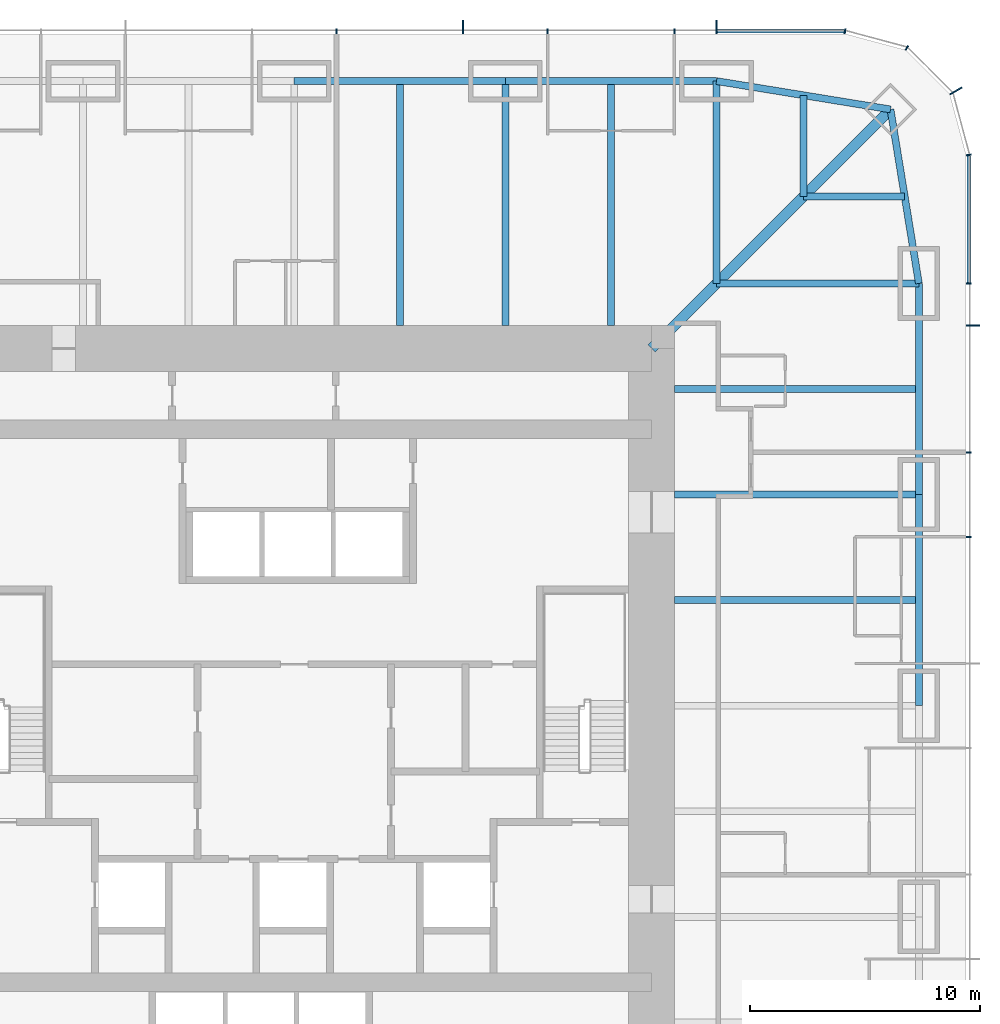
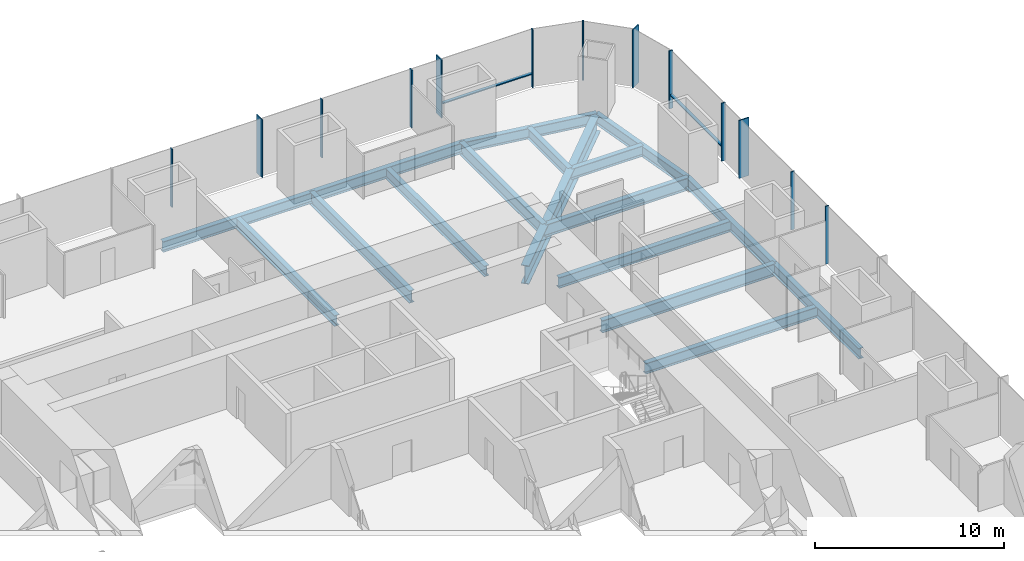
# One storey, part 6 of 13: 17 beams, 15 members, 3 elements without a shape of their own.
"""IFC4 building model written with IfcOpenShell, lengths in metres."""

import ifcopenshell
import ifcopenshell.guid

model = None  # the IFC model being written
_history = None  # IfcOwnerHistory: only IFC2X3 demands one
_inside = {}  # id of a spatial element -> (the spatial element, [elements in it])
_under = {}  # id of a project, library or spatial element -> (it, [spatial elements below it])
_declared = {}  # id of a project -> (the project, [libraries it declares])
_typed = {}  # id of a type object -> (the type object, [elements of that type])
_made_of = {}  # id of a material, layer set ... -> (it, [elements and type objects made of it])


def new_model(schema):
    """Start an empty IFC model of exactly this schema.

    Asked for "IFC4X3", IfcOpenShell would pick the latest addendum, in which some entities
    have other attributes; the version numbers below select the first issue.
    IFC2X3 requires an IfcOwnerHistory on every rooted entity: one is made here for all.
    """
    global model, _history
    if schema == "IFC4X3":
        model = ifcopenshell.file(schema_version=(4, 3, 0, 0))
    else:
        model = ifcopenshell.file(schema=schema)
    _inside.clear()
    _under.clear()
    _declared.clear()
    _typed.clear()
    _made_of.clear()
    _history = None
    if model.schema == "IFC2X3":
        org = make("IfcOrganization", Name="unknown")
        user = make(
            "IfcPersonAndOrganization",
            ThePerson=make("IfcPerson", FamilyName="unknown"),
            TheOrganization=org,
        )
        app = make(
            "IfcApplication",
            ApplicationDeveloper=org,
            Version="unknown",
            ApplicationFullName="unknown",
            ApplicationIdentifier="unknown",
        )
        _history = make(
            "IfcOwnerHistory",
            OwningUser=user,
            OwningApplication=app,
            ChangeAction="ADDED",
            CreationDate=0,
        )
    return model


def make(cls, **values):
    """One entity of the class cls with the attributes given. An attribute that is None is left unset."""
    return model.create_entity(
        cls, **{name: value for name, value in values.items() if value is not None}
    )


def rooted(cls, **values):
    """An entity with a GlobalId (a new one), such as an element, a storey or a relation."""
    return make(cls, GlobalId=ifcopenshell.guid.new(), OwnerHistory=_history, **values)


def si_unit(unit_type, name, prefix=None):
    """IfcSIUnit, for example si_unit("LENGTHUNIT", "METRE", prefix="MILLI")."""
    return make("IfcSIUnit", UnitType=unit_type, Prefix=prefix, Name=name)


def assignment(units):
    """IfcUnitAssignment: the units of a project."""
    return None if units is None else make("IfcUnitAssignment", Units=units)


def point(xyz):
    """IfcCartesianPoint."""
    return None if xyz is None else make("IfcCartesianPoint", Coordinates=xyz)


def direction(xyz):
    """IfcDirection."""
    return None if xyz is None else make("IfcDirection", DirectionRatios=xyz)


def frame(location, z_axis=None, x_axis=None):
    """IfcAxis2Placement3D, a coordinate frame: its origin and axes. An axis left out is left unset."""
    return make(
        "IfcAxis2Placement3D",
        Location=point(location),
        Axis=direction(z_axis),
        RefDirection=direction(x_axis),
    )


def frame_2d(location, x_axis=None):
    """IfcAxis2Placement2D, a coordinate frame in the plane: its origin and x axis."""
    return make(
        "IfcAxis2Placement2D", Location=point(location), RefDirection=direction(x_axis)
    )


def origin():
    """The frame at (0, 0, 0) with its axes left unset."""
    return frame((0.0, 0.0, 0.0))


def origin_2d():
    """The frame at (0, 0) in the plane with its x axis left unset."""
    return frame_2d((0.0, 0.0))


def place(relative_to, where):
    """IfcLocalPlacement: puts the frame where relative to a parent placement (None: the world)."""
    return make(
        "IfcLocalPlacement", PlacementRelTo=relative_to, RelativePlacement=where
    )


def context(
    kind, dimensions, precision=None, world=None, true_north=None, identifier=None
):
    """IfcGeometricRepresentationContext, for example the 3D "Model" context."""
    return make(
        "IfcGeometricRepresentationContext",
        ContextIdentifier=identifier,
        ContextType=kind,
        CoordinateSpaceDimension=dimensions,
        Precision=precision,
        WorldCoordinateSystem=world,
        TrueNorth=true_north,
    )


def subcontext(parent, identifier, kind, view, scale=None):
    """IfcGeometricRepresentationSubContext, for example "Body" below "Model"."""
    return make(
        "IfcGeometricRepresentationSubContext",
        ContextIdentifier=identifier,
        ContextType=kind,
        ParentContext=parent,
        TargetScale=scale,
        TargetView=view,
    )


def project(units=None, contexts=None):
    """IfcProject with its units and contexts."""
    return rooted(
        "IfcProject",
        Name="project",
        RepresentationContexts=contexts,
        UnitsInContext=assignment(units),
    )


def spatial(cls, under=None, at=None, **own):
    """A site, building, storey or space (cls), placed at a placement, below another one or the project."""
    s = rooted(cls, ObjectPlacement=at, **own)
    if under is not None:
        _under.setdefault(under.id(), (under, []))[1].append(s)
    return s


def profile(cls, at=None, kind="AREA", **sizes):
    """A parametric profile (cls). Its sizes go by their IFC names, for example OverallWidth=200.0."""
    return make(cls, ProfileType=kind, Position=at, **sizes)


def rectangle(**sizes):
    """IfcRectangleProfileDef."""
    return profile("IfcRectangleProfileDef", **sizes)


def i_section(**sizes):
    """IfcIShapeProfileDef."""
    return profile("IfcIShapeProfileDef", **sizes)


def extrude(swept, where, along, depth):
    """IfcExtrudedAreaSolid: the profile swept, set in the frame where, extruded along a direction by depth."""
    return make(
        "IfcExtrudedAreaSolid",
        SweptArea=swept,
        Position=where,
        ExtrudedDirection=direction(along),
        Depth=depth,
    )


def shape(context_of_items, identifier, shape_type, items):
    """IfcShapeRepresentation: the items that make up one representation, for example the "Body"."""
    return make(
        "IfcShapeRepresentation",
        ContextOfItems=context_of_items,
        RepresentationIdentifier=identifier,
        RepresentationType=shape_type,
        Items=items,
    )


def material(Name=None, Category=None):
    """IfcMaterial."""
    return make("IfcMaterial", Name=Name, Category=Category)


def material_profile(
    of_material, cross_section, Name=None, Category=None, Priority=None
):
    """IfcMaterialProfile: a cross section and its material."""
    return make(
        "IfcMaterialProfile",
        Name=Name,
        Material=of_material,
        Profile=cross_section,
        Priority=Priority,
        Category=Category,
    )


def profile_set(profiles, Name=None, composite=None):
    """IfcMaterialProfileSet."""
    return make(
        "IfcMaterialProfileSet",
        Name=Name,
        MaterialProfiles=profiles,
        CompositeProfile=composite,
    )


def made_of(thing, what):
    """Note that an element or type object is made of a material, layer set ...; save() writes the relation."""
    if what is not None:
        _made_of.setdefault(what.id(), (what, []))[1].append(thing)
    return thing


def type_object(cls, material=None, **own):
    """A type object (cls), such as IfcWallType, which elements share."""
    return made_of(rooted(cls, **own), material)


def element(
    cls,
    number,
    at=None,
    inside=None,
    cuts=None,
    type_object=None,
    material=None,
    context=None,
    identifier="Body",
    shape_type=None,
    held_by="IfcProductDefinitionShape",
    body=None,
    shapes=None,
    **own,
):
    """One element of the class cls, such as IfcWall. Its Tag is "e" and its number.

    at: its placement. inside: the storey or other place that contains it. cuts: it is an
    opening in that element (IfcRelVoidsElement). A single representation is given by context,
    identifier, shape_type and body (its items); several are given by shapes. held_by: the class
    of the entity that holds the representations. save() writes the other relations.
    """
    e = rooted(cls, Tag="e%d" % number, ObjectPlacement=at, **own)
    if body is not None:
        shapes = [shape(context, identifier, shape_type, body)]
    if shapes is not None:
        e.Representation = make(held_by, Representations=shapes)
    if inside is not None:
        _inside.setdefault(inside.id(), (inside, []))[1].append(e)
    if cuts is not None:
        rooted(
            "IfcRelVoidsElement", RelatingBuildingElement=cuts, RelatedOpeningElement=e
        )
    if type_object is not None:
        _typed.setdefault(type_object.id(), (type_object, []))[1].append(e)
    return made_of(e, material)


def aggregate(whole, parts):
    """IfcRelAggregates: a whole, such as a stair, and the parts it consists of."""
    return rooted("IfcRelAggregates", RelatingObject=whole, RelatedObjects=parts)


def save(model, path):
    """Write the relations noted so far, then the file.

    IfcRelAggregates (storeys below a building ...), IfcRelContainedInSpatialStructure (elements
    in a storey), IfcRelDefinesByType, IfcRelAssociatesMaterial and IfcRelDeclares: one each for
    every whole, place, type object, material and project.
    """
    for whole, parts in _under.values():
        aggregate(whole, parts)
    for where, things in _inside.values():
        rooted(
            "IfcRelContainedInSpatialStructure",
            RelatedElements=things,
            RelatingStructure=where,
        )
    for kind, things in _typed.values():
        rooted("IfcRelDefinesByType", RelatedObjects=things, RelatingType=kind)
    for what, things in _made_of.values():
        rooted("IfcRelAssociatesMaterial", RelatedObjects=things, RelatingMaterial=what)
    for by, libraries in _declared.values():
        rooted("IfcRelDeclares", RelatingContext=by, RelatedDefinitions=libraries)
    model.write(path)


model = new_model("IFC4")

# Units and contexts
model_context = context("Model", 3, precision=1e-05, world=origin(), true_north=direction((0.0, 1.0)))
body_context = subcontext(model_context, "Body", "Model", "MODEL_VIEW")
ifc_project = project(units=[si_unit("LENGTHUNIT", "METRE"), si_unit("AREAUNIT", "SQUARE_METRE"), si_unit("VOLUMEUNIT", "CUBIC_METRE"), si_unit("PLANEANGLEUNIT", "RADIAN"), si_unit("MASSUNIT", "GRAM", prefix="KILO")], contexts=[model_context])

# Site, building, storey
site_placement = place(None, origin())
site = spatial("IfcSite", under=ifc_project, at=site_placement, CompositionType="ELEMENT")
building_placement = place(site_placement, origin())
building = spatial("IfcBuilding", under=site, at=building_placement, Name="Khuree Lantern Residences", CompositionType="ELEMENT")
storey_placement = place(building_placement, frame((0.0, 0.0, 111.0)))
storey = spatial("IfcBuildingStorey", under=building, at=storey_placement, Name="L27", CompositionType="ELEMENT", Elevation=111.0)

# Beams
ifc_material_1 = material(Name="Steel S355", Category="steel")
ifc_material_profile_1 = material_profile(ifc_material_1, i_section(OverallWidth=0.300048828125, OverallDepth=0.68994140625, WebThickness=0.014404296875, FlangeThickness=0.027099609375, FilletRadius=0.027099609375, at=origin_2d()), Name="HE 700 A")
ifc_profile_set_1 = profile_set([ifc_material_profile_1], Name="Steel S355")
beam_type_1 = type_object("IfcBeamType", Name="B-21A SECONDARY BEAM HE 700 A", PredefinedType="BEAM", material=ifc_profile_set_1)
for number, where, z_axis, x_axis, name in (
    (1, (4.580078125, 27.10009765625, -0.594970703125), (0.0, -1.0, 0.0), (1.0, 0.0, 0.0), "Secondary beam N3"),
    (2, (13.739990234375, 27.10009765625, -0.594970703125), (0.0, -1.0, 0.0), (1.0, 0.0, 0.0), "Secondary beam N4"),
):
    element("IfcBeam", number, at=place(storey_placement, frame(where, z_axis=z_axis, x_axis=x_axis)), inside=storey, type_object=beam_type_1, Name=name, PredefinedType="BEAM", context=body_context, shape_type="SweptSolid", body=[
        extrude(i_section(OverallWidth=0.300048828125, OverallDepth=0.68994140625, WebThickness=0.014404296875, FlangeThickness=0.027099609375, FilletRadius=0.027099609375, at=origin_2d()), origin(), (0.0, 0.0, 1.0), 10.60009765625),
    ])
for number, where, z_axis, x_axis, name in (
    (3, (22.094970703125, 26.48486328125, -0.594970703125), (0.0, -1.0, 0.0), (1.0, 0.0, 0.0), "Secondary beam N5"),
    (4, (26.48486328125, 22.094970703125, -0.594970703125), (-1.0, 0.0, 0.0), (0.0, -1.0, 0.0), "Secondary beam E1"),
):
    element("IfcBeam", number, at=place(storey_placement, frame(where, z_axis=z_axis, x_axis=x_axis)), inside=storey, type_object=beam_type_1, Name=name, PredefinedType="BEAM", context=body_context, shape_type="SweptSolid", body=[
        extrude(i_section(OverallWidth=0.300048828125, OverallDepth=0.68994140625, WebThickness=0.014404296875, FlangeThickness=0.027099609375, FilletRadius=0.027099609375, at=origin_2d()), origin(), (0.0, 0.0, 1.0), 4.389892578125),
    ])
for number, where, z_axis, x_axis, name in (
    (5, (27.10009765625, 13.739990234375, -0.594970703125), (-1.0, 0.0, 0.0), (0.0, -1.0, 0.0), "Secondary beam E2"),
    (6, (27.10009765625, 4.580078125, -0.594970703125), (-1.0, 0.0, 0.0), (0.0, -1.0, 0.0), "Secondary beam E3"),
):
    element("IfcBeam", number, at=place(storey_placement, frame(where, z_axis=z_axis, x_axis=x_axis)), inside=storey, type_object=beam_type_1, Name=name, PredefinedType="BEAM", context=body_context, shape_type="SweptSolid", body=[
        extrude(i_section(OverallWidth=0.300048828125, OverallDepth=0.68994140625, WebThickness=0.014404296875, FlangeThickness=0.027099609375, FilletRadius=0.027099609375, at=origin_2d()), origin(), (0.0, 0.0, 1.0), 10.60009765625),
    ])
ifc_material_profile_2 = material_profile(ifc_material_1, i_section(OverallWidth=0.300048828125, OverallDepth=0.68994140625, WebThickness=0.014404296875, FlangeThickness=0.027099609375, FilletRadius=0.027099609375, at=origin_2d()), Name="HE 700 A")
ifc_profile_set_2 = profile_set([ifc_material_profile_2], Name="Steel S355")
beam_type_2 = type_object("IfcBeamType", Name="E-21 SPANDREL BEAM HE 700 A", PredefinedType="SPANDREL", material=ifc_profile_set_2)
beam_1_placement = place(storey_placement, frame((0.0, 27.10009765625, -0.594970703125), z_axis=(1.0, 0.0, 0.0), x_axis=(0.0, 1.0, 0.0)))
element("IfcBeam", 7, at=beam_1_placement, inside=storey, type_object=beam_type_2, Name="Spandrel beam N3", PredefinedType="SPANDREL", context=body_context, shape_type="SweptSolid", body=[
    extrude(i_section(OverallWidth=0.300048828125, OverallDepth=0.68994140625, WebThickness=0.014404296875, FlangeThickness=0.027099609375, FilletRadius=0.027099609375, at=origin_2d()), origin(), (0.0, 0.0, 1.0), 9.159912109375),
])
beam_2_placement = place(storey_placement, frame((9.159912109375, 27.10009765625, -0.594970703125), z_axis=(1.0, 0.0, 0.0), x_axis=(0.0, 1.0, 0.0)))
element("IfcBeam", 8, at=beam_2_placement, inside=storey, type_object=beam_type_2, Name="Spandrel beam N4", PredefinedType="SPANDREL", context=body_context, shape_type="SweptSolid", body=[
    extrude(i_section(OverallWidth=0.300048828125, OverallDepth=0.68994140625, WebThickness=0.014404296875, FlangeThickness=0.027099609375, FilletRadius=0.027099609375, at=origin_2d()), origin(), (0.0, 0.0, 1.0), 9.16015625),
])
for number, where, z_axis, x_axis, name in (
    (9, (18.320068359375, 27.10009765625, -0.594970703125), (0.986982656839, -0.160826723833, 0.0), (0.160826723833, 0.986982656839, 0.0), "Spandrel beam N5"),
    (10, (25.869873046875, 25.869873046875, -0.594970703125), (0.160826723833, -0.986982656839, 0.0), (0.986982656839, 0.160826723833, 0.0), "Spandrel beam E1"),
):
    element("IfcBeam", number, at=place(storey_placement, frame(where, z_axis=z_axis, x_axis=x_axis)), inside=storey, type_object=beam_type_2, Name=name, PredefinedType="SPANDREL", context=body_context, shape_type="SweptSolid", body=[
        extrude(i_section(OverallWidth=0.300048828125, OverallDepth=0.68994140625, WebThickness=0.014404296875, FlangeThickness=0.027099609375, FilletRadius=0.027099609375, at=origin_2d()), origin(), (0.0, 0.0, 1.0), 7.6494140625),
    ])
beam_3_placement = place(storey_placement, frame((27.10009765625, 18.320068359375, -0.594970703125), z_axis=(0.0, -1.0, 0.0), x_axis=(1.0, 0.0, 0.0)))
element("IfcBeam", 11, at=beam_3_placement, inside=storey, type_object=beam_type_2, Name="Spandrel beam E2", PredefinedType="SPANDREL", context=body_context, shape_type="SweptSolid", body=[
    extrude(i_section(OverallWidth=0.300048828125, OverallDepth=0.68994140625, WebThickness=0.014404296875, FlangeThickness=0.027099609375, FilletRadius=0.027099609375, at=origin_2d()), origin(), (0.0, 0.0, 1.0), 9.16015625),
])
beam_4_placement = place(storey_placement, frame((27.10009765625, 9.159912109375, -0.594970703125), z_axis=(0.0, -1.0, 0.0), x_axis=(1.0, 0.0, 0.0)))
element("IfcBeam", 12, at=beam_4_placement, inside=storey, type_object=beam_type_2, Name="Spandrel beam E3", PredefinedType="SPANDREL", context=body_context, shape_type="SweptSolid", body=[
    extrude(i_section(OverallWidth=0.300048828125, OverallDepth=0.68994140625, WebThickness=0.014404296875, FlangeThickness=0.027099609375, FilletRadius=0.027099609375, at=origin_2d()), origin(), (0.0, 0.0, 1.0), 9.159912109375),
])

# Curtain wall, member
ifc_material_2 = material(Name="Bronze anodised aluminium", Category="aluminium")
curtain_wall_type_1 = type_object("IfcCurtainWallType", Name="CW-T1 TOWER FACE CURTAIN WALL", PredefinedType="USERDEFINED", material=ifc_material_2)
curtain_wall_1_placement = place(storey_placement, origin())
curtain_wall_1 = element("IfcCurtainWall", 13, at=curtain_wall_1_placement, inside=storey, type_object=curtain_wall_type_1, Name="L27 EAST FACE CURTAIN WALL", ObjectType="Stick-built curtain wall", PredefinedType="USERDEFINED")
ifc_material_profile_3 = material_profile(ifc_material_2, rectangle(XDim=0.06494140625, YDim=0.60009765625, at=origin_2d()), Name="F1 65X600")
ifc_profile_set_3 = profile_set([ifc_material_profile_3], Name="Bronze anodised aluminium")
member_type_1 = type_object("IfcMemberType", Name="F1 BRONZE FIN MULLION TOWER 65X600", PredefinedType="MULLION", material=ifc_profile_set_3)
member_1_placement = place(storey_placement, frame((29.449951171875, 16.488037109375, 0.0), z_axis=(0.0, 0.0, 1.0), x_axis=(0.0, 1.0, 0.0)))
member_1 = element("IfcMember", 14, at=member_1_placement, type_object=member_type_1, Name="L27 EAST FACE FIN MULLION 13", PredefinedType="MULLION", context=body_context, shape_type="SweptSolid", body=[
    extrude(rectangle(XDim=0.06494140625, YDim=0.60009765625, at=origin_2d()), origin(), (0.0, 0.0, 1.0), 3.75),
])

curtain_wall_type_2 = type_object("IfcCurtainWallType", Name="CW-T2 TOWER CORNER CURTAIN WALL", PredefinedType="USERDEFINED", material=ifc_material_2)
curtain_wall_2_placement = place(storey_placement, origin())
curtain_wall_2 = element("IfcCurtainWall", 15, at=curtain_wall_2_placement, inside=storey, type_object=curtain_wall_type_2, Name="L27 NORTH-EAST CORNER CURTAIN WALL", ObjectType="Faceted corner curtain wall", PredefinedType="USERDEFINED")
member_2_placement = place(storey_placement, frame((28.70654296875, 26.675048828125, 0.0), z_axis=(0.0, 0.0, 1.0), x_axis=(-0.500000026995, 0.866025388199, 0.0)))
member_2 = element("IfcMember", 16, at=member_2_placement, type_object=member_type_1, Name="L27 NORTH-EAST CORNER FIN MULLION 16", PredefinedType="MULLION", context=body_context, shape_type="SweptSolid", body=[
    extrude(rectangle(XDim=0.06494140625, YDim=0.60009765625, at=origin_2d()), origin(), (0.0, 0.0, 1.0), 3.75),
])

# Curtain wall, members
curtain_wall_3_placement = place(storey_placement, origin())
curtain_wall_3 = element("IfcCurtainWall", 17, at=curtain_wall_3_placement, inside=storey, type_object=curtain_wall_type_1, Name="L27 NORTH FACE CURTAIN WALL", ObjectType="Stick-built curtain wall", PredefinedType="USERDEFINED")
member_3_placement = place(storey_placement, frame((18.320068359375, 29.449951171875, 0.0), z_axis=(0.0, 0.0, 1.0), x_axis=(-1.0, 0.0, 0.0)))
member_3 = element("IfcMember", 18, at=member_3_placement, type_object=member_type_1, Name="L27 NORTH FACE FIN MULLION 19", PredefinedType="MULLION", context=body_context, shape_type="SweptSolid", body=[
    extrude(rectangle(XDim=0.06494140625, YDim=0.60009765625, at=origin_2d()), origin(), (0.0, 0.0, 1.0), 3.75),
])
member_4_placement = place(storey_placement, frame((7.327880859375, 29.449951171875, 0.0), z_axis=(0.0, 0.0, 1.0), x_axis=(-1.0, 0.0, 0.0)))
member_4 = element("IfcMember", 19, at=member_4_placement, type_object=member_type_1, Name="L27 NORTH FACE FIN MULLION 22", PredefinedType="MULLION", context=body_context, shape_type="SweptSolid", body=[
    extrude(rectangle(XDim=0.06494140625, YDim=0.60009765625, at=origin_2d()), origin(), (0.0, 0.0, 1.0), 3.75),
])

# Beams
ifc_material_profile_4 = material_profile(ifc_material_1, i_section(OverallWidth=0.300048828125, OverallDepth=0.800048828125, WebThickness=0.017578125, FlangeThickness=0.032958984375, FilletRadius=0.030029296875, at=origin_2d()), Name="HE 800 B")
ifc_profile_set_4 = profile_set([ifc_material_profile_4], Name="Steel S355")
beam_type_3 = type_object("IfcBeamType", Name="G-21 GIRDER HE 800 B", PredefinedType="BEAM", material=ifc_profile_set_4)
beam_5_placement = place(storey_placement, frame((9.159912109375, 27.10009765625, -0.64990234375), z_axis=(0.0, -1.0, 0.0), x_axis=(1.0, 0.0, 0.0)))
element("IfcBeam", 20, at=beam_5_placement, inside=storey, type_object=beam_type_3, Name="Girder N4", PredefinedType="BEAM", context=body_context, shape_type="SweptSolid", body=[
    extrude(i_section(OverallWidth=0.300048828125, OverallDepth=0.800048828125, WebThickness=0.017578125, FlangeThickness=0.032958984375, FilletRadius=0.030029296875, at=origin_2d()), origin(), (0.0, 0.0, 1.0), 10.60009765625),
])
for number, where, z_axis, x_axis, name in (
    (21, (18.320068359375, 27.10009765625, -0.64990234375), (0.0, -1.0, 0.0), (1.0, 0.0, 0.0), "Girder N5"),
    (22, (27.10009765625, 18.320068359375, -0.64990234375), (-1.0, 0.0, 0.0), (0.0, -1.0, 0.0), "Girder E1"),
):
    element("IfcBeam", number, at=place(storey_placement, frame(where, z_axis=z_axis, x_axis=x_axis)), inside=storey, type_object=beam_type_3, Name=name, PredefinedType="BEAM", context=body_context, shape_type="SweptSolid", body=[
        extrude(i_section(OverallWidth=0.300048828125, OverallDepth=0.800048828125, WebThickness=0.017578125, FlangeThickness=0.032958984375, FilletRadius=0.030029296875, at=origin_2d()), origin(), (0.0, 0.0, 1.0), 8.780029296875),
    ])
beam_6_placement = place(storey_placement, frame((27.10009765625, 9.159912109375, -0.64990234375), z_axis=(-1.0, 0.0, 0.0), x_axis=(0.0, -1.0, 0.0)))
element("IfcBeam", 23, at=beam_6_placement, inside=storey, type_object=beam_type_3, Name="Girder E2", PredefinedType="BEAM", context=body_context, shape_type="SweptSolid", body=[
    extrude(i_section(OverallWidth=0.300048828125, OverallDepth=0.800048828125, WebThickness=0.017578125, FlangeThickness=0.032958984375, FilletRadius=0.030029296875, at=origin_2d()), origin(), (0.0, 0.0, 1.0), 10.60009765625),
])
ifc_material_profile_5 = material_profile(ifc_material_1, i_section(OverallWidth=0.449951171875, OverallDepth=1.199951171875, WebThickness=0.02490234375, FlangeThickness=0.044921875, at=origin_2d()), Name="WELDED I 1200X450X25X45")
ifc_profile_set_5 = profile_set([ifc_material_profile_5], Name="Steel S355")
beam_type_4 = type_object("IfcBeamType", Name="GD-21 CORNER GIRDER WELDED I 1200X450X25X45", PredefinedType="BEAM", material=ifc_profile_set_5)
beam_7_placement = place(storey_placement, frame((25.869873046875, 25.869873046875, -0.85009765625), z_axis=(-0.707106781187, -0.707106781187, 0.0), x_axis=(0.707106781187, -0.707106781187, 0.0)))
element("IfcBeam", 24, at=beam_7_placement, inside=storey, type_object=beam_type_4, Name="Corner girder NE", PredefinedType="BEAM", context=body_context, shape_type="SweptSolid", body=[
    extrude(i_section(OverallWidth=0.449951171875, OverallDepth=1.199951171875, WebThickness=0.02490234375, FlangeThickness=0.044921875, at=origin_2d()), origin(), (0.0, 0.0, 1.0), 14.665283203125),
])

# Member
ifc_material_profile_6 = material_profile(ifc_material_2, rectangle(XDim=0.06494140625, YDim=0.219970703125, at=origin_2d()), Name="M1 65X220")
ifc_profile_set_6 = profile_set([ifc_material_profile_6], Name="Bronze anodised aluminium")
member_type_2 = type_object("IfcMemberType", Name="M1 BRONZE MULLION TOWER 65X220", PredefinedType="MULLION", material=ifc_profile_set_6)
member_5_placement = place(storey_placement, frame((29.260009765625, 7.327880859375, 0.0), z_axis=(0.0, 0.0, 1.0), x_axis=(0.0, 1.0, 0.0)))
member_5 = element("IfcMember", 25, at=member_5_placement, type_object=member_type_2, Name="L27 EAST FACE MULLION 11", PredefinedType="MULLION", context=body_context, shape_type="SweptSolid", body=[
    extrude(rectangle(XDim=0.06494140625, YDim=0.219970703125, at=origin_2d()), origin(), (0.0, 0.0, 1.0), 3.75),
])

member_6_placement = place(storey_placement, frame((29.260009765625, 10.991943359375, 0.0), z_axis=(0.0, 0.0, 1.0), x_axis=(0.0, 1.0, 0.0)))
member_6 = element("IfcMember", 26, at=member_6_placement, type_object=member_type_2, Name="L27 EAST FACE MULLION 12", PredefinedType="MULLION", context=body_context, shape_type="SweptSolid", body=[
    extrude(rectangle(XDim=0.06494140625, YDim=0.219970703125, at=origin_2d()), origin(), (0.0, 0.0, 1.0), 3.75),
])

member_7_placement = place(storey_placement, frame((29.260009765625, 18.320068359375, 0.0), z_axis=(0.0, 0.0, 1.0), x_axis=(0.0, 1.0, 0.0)))
member_7 = element("IfcMember", 27, at=member_7_placement, type_object=member_type_2, Name="L27 EAST FACE MULLION 14", PredefinedType="MULLION", context=body_context, shape_type="SweptSolid", body=[
    extrude(rectangle(XDim=0.06494140625, YDim=0.219970703125, at=origin_2d()), origin(), (0.0, 0.0, 1.0), 3.75),
])

member_8_placement = place(storey_placement, frame((29.26171875, 23.89501953125, 0.0), z_axis=(0.0, 0.0, 1.0), x_axis=(-0.130526223125, 0.991444857305, 0.0)))
member_8 = element("IfcMember", 28, at=member_8_placement, type_object=member_type_2, Name="L27 NORTH-EAST CORNER MULLION 15", PredefinedType="MULLION", context=body_context, shape_type="SweptSolid", body=[
    extrude(rectangle(XDim=0.06494140625, YDim=0.219970703125, at=origin_2d()), origin(), (0.0, 0.0, 1.0), 3.75),
])

member_9_placement = place(storey_placement, frame((26.580078125, 28.5419921875, 0.0), z_axis=(0.0, 0.0, 1.0), x_axis=(-0.866025388199, 0.500000026995, 0.0)))
member_9 = element("IfcMember", 29, at=member_9_placement, type_object=member_type_2, Name="L27 NORTH-EAST CORNER MULLION 17", PredefinedType="MULLION", context=body_context, shape_type="SweptSolid", body=[
    extrude(rectangle(XDim=0.06494140625, YDim=0.219970703125, at=origin_2d()), origin(), (0.0, 0.0, 1.0), 3.75),
])

aggregate(curtain_wall_2, [member_8, member_2, member_9])

member_10_placement = place(storey_placement, frame((23.89501953125, 29.26171875, 0.0), z_axis=(0.0, 0.0, 1.0), x_axis=(-0.991444857305, 0.130526223125, 0.0)))
member_10 = element("IfcMember", 30, at=member_10_placement, type_object=member_type_2, Name="L27 NORTH FACE MULLION 18", PredefinedType="MULLION", context=body_context, shape_type="SweptSolid", body=[
    extrude(rectangle(XDim=0.06494140625, YDim=0.219970703125, at=origin_2d()), origin(), (0.0, 0.0, 1.0), 3.75),
])

member_11_placement = place(storey_placement, frame((16.488037109375, 29.260009765625, 0.0), z_axis=(0.0, 0.0, 1.0), x_axis=(-1.0, 0.0, 0.0)))
member_11 = element("IfcMember", 31, at=member_11_placement, type_object=member_type_2, Name="L27 NORTH FACE MULLION 20", PredefinedType="MULLION", context=body_context, shape_type="SweptSolid", body=[
    extrude(rectangle(XDim=0.06494140625, YDim=0.219970703125, at=origin_2d()), origin(), (0.0, 0.0, 1.0), 3.75),
])

member_12_placement = place(storey_placement, frame((10.991943359375, 29.260009765625, 0.0), z_axis=(0.0, 0.0, 1.0), x_axis=(-1.0, 0.0, 0.0)))
member_12 = element("IfcMember", 32, at=member_12_placement, type_object=member_type_2, Name="L27 NORTH FACE MULLION 21", PredefinedType="MULLION", context=body_context, shape_type="SweptSolid", body=[
    extrude(rectangle(XDim=0.06494140625, YDim=0.219970703125, at=origin_2d()), origin(), (0.0, 0.0, 1.0), 3.75),
])

member_13_placement = place(storey_placement, frame((1.83203125, 29.260009765625, 0.0), z_axis=(0.0, 0.0, 1.0), x_axis=(-1.0, 0.0, 0.0)))
member_13 = element("IfcMember", 33, at=member_13_placement, type_object=member_type_2, Name="L27 NORTH FACE MULLION 23", PredefinedType="MULLION", context=body_context, shape_type="SweptSolid", body=[
    extrude(rectangle(XDim=0.06494140625, YDim=0.219970703125, at=origin_2d()), origin(), (0.0, 0.0, 1.0), 3.75),
])

ifc_material_profile_7 = material_profile(ifc_material_2, rectangle(XDim=0.179931640625, YDim=0.06494140625, at=origin_2d()), Name="T1 180X65")
ifc_profile_set_7 = profile_set([ifc_material_profile_7], Name="Bronze anodised aluminium")
member_type_3 = type_object("IfcMemberType", Name="TRANSOM T1 TOWER 180X65", PredefinedType="USERDEFINED", material=ifc_profile_set_7)
member_14_placement = place(storey_placement, frame((29.27001953125, 18.3525390625, 0.89990234375), z_axis=(0.0, 1.0, 0.0), x_axis=(-1.0, 0.0, 0.0)))
member_14 = element("IfcMember", 34, at=member_14_placement, type_object=member_type_3, Name="L27 EAST FACE TRANSOM 14.1", ObjectType="Transom", PredefinedType="USERDEFINED", context=body_context, shape_type="SweptSolid", body=[
    extrude(rectangle(XDim=0.179931640625, YDim=0.06494140625, at=origin_2d()), origin(), (0.0, 0.0, 1.0), 5.498779296875),
])

aggregate(curtain_wall_1, [member_5, member_6, member_1, member_7, member_14])

member_15_placement = place(storey_placement, frame((23.851318359375, 29.27001953125, 0.89990234375), z_axis=(-1.0, 0.0, 0.0), x_axis=(0.0, -1.0, 0.0)))
member_15 = element("IfcMember", 35, at=member_15_placement, type_object=member_type_3, Name="L27 NORTH FACE TRANSOM 18.1", ObjectType="Transom", PredefinedType="USERDEFINED", context=body_context, shape_type="SweptSolid", body=[
    extrude(rectangle(XDim=0.179931640625, YDim=0.06494140625, at=origin_2d()), origin(), (0.0, 0.0, 1.0), 5.498779296875),
])

aggregate(curtain_wall_3, [member_10, member_3, member_11, member_12, member_4, member_13, member_15])

save(model, "model.ifc")
